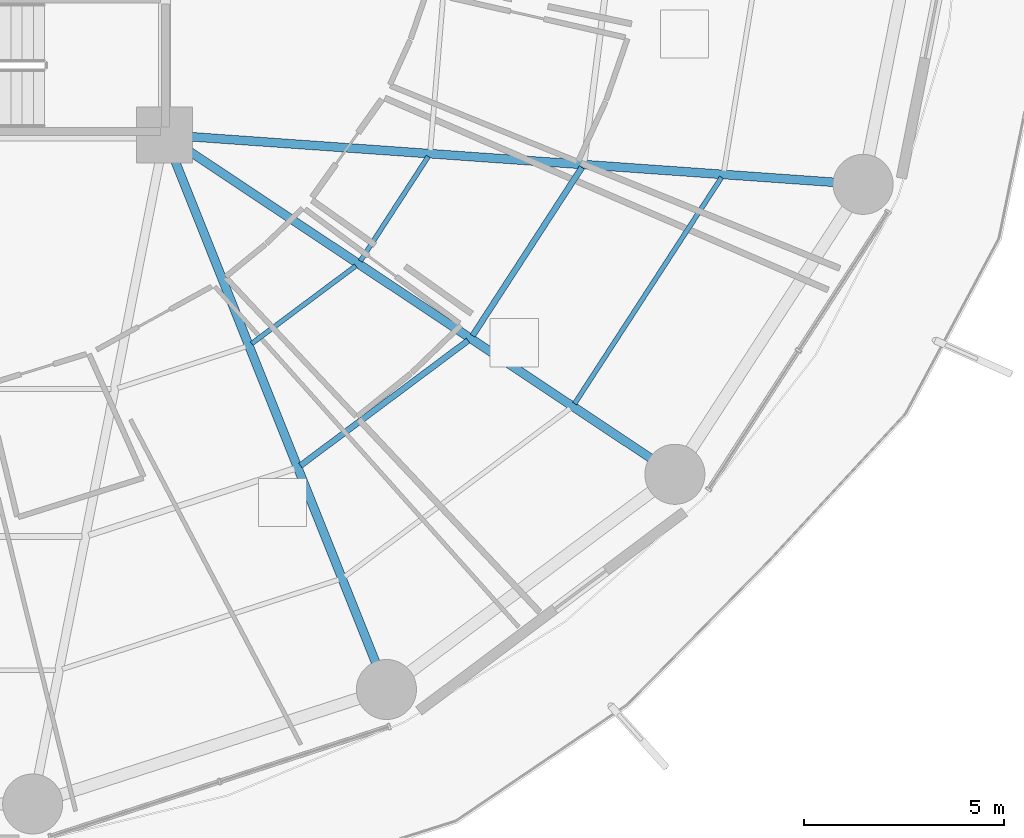
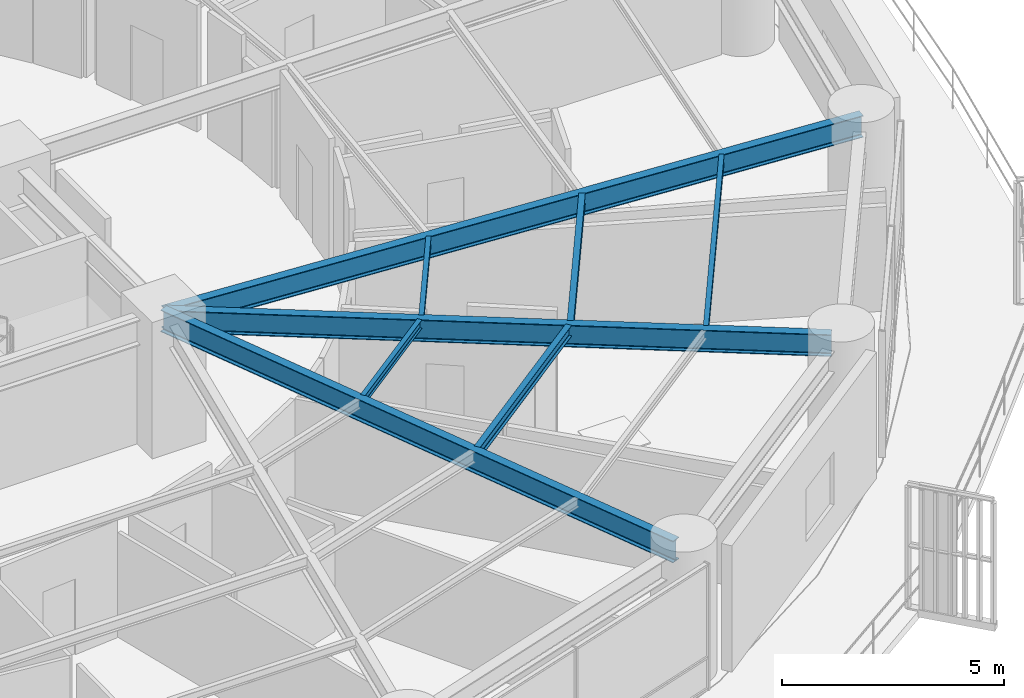
# One storey, part 10 of 35: 8 beams.
"""IFC4 building model written with IfcOpenShell, lengths in metres."""

from ifc_helpers import new_model, si_unit, direction, frame, origin, origin_2d, place, context, subcontext, project, spatial, i_section, extrude, material, material_profile, profile_set, type_object, element, save


model = new_model("IFC4")

# Units and contexts
model_context = context("Model", 3, precision=1e-05, world=origin(), true_north=direction((0.0, 1.0)))
body_context = subcontext(model_context, "Body", "Model", "MODEL_VIEW")
ifc_project = project(units=[si_unit("LENGTHUNIT", "METRE"), si_unit("AREAUNIT", "SQUARE_METRE"), si_unit("VOLUMEUNIT", "CUBIC_METRE"), si_unit("PLANEANGLEUNIT", "RADIAN"), si_unit("MASSUNIT", "GRAM", prefix="KILO")], contexts=[model_context])

# Site, building, storey
site_placement = place(None, origin())
site = spatial("IfcSite", under=ifc_project, at=site_placement, CompositionType="ELEMENT")
building_placement = place(site_placement, origin())
building = spatial("IfcBuilding", under=site, at=building_placement, Name="Kelanora Arch Commons", CompositionType="ELEMENT")
storey_placement = place(building_placement, frame((0.0, 0.0, 22.5)))
storey = spatial("IfcBuildingStorey", under=building, at=storey_placement, Name="L05", CompositionType="ELEMENT", Elevation=22.5)

# Beams
ifc_material = material(Name="Steel S355", Category="steel")
ifc_material_profile_1 = material_profile(ifc_material, i_section(OverallWidth=0.14990234375, OverallDepth=0.300048828125, WebThickness=0.007080078125, FlangeThickness=0.0107421875, FilletRadius=0.014892578125, at=origin_2d()), Name="IPE300")
ifc_profile_set_1 = profile_set([ifc_material_profile_1], Name="Steel S355")
beam_type_1 = type_object("IfcBeamType", Name="BM-JST-01", PredefinedType="JOIST", material=ifc_profile_set_1)
beam_1_placement = place(storey_placement, frame((85.39208984375, 42.738525390625, 3.340087890625), z_axis=(0.801478251559, 0.598023922831, 0.0), x_axis=(-0.598023922831, 0.801478251559, 0.0)))
element("IfcBeam", 1, at=beam_1_placement, inside=storey, type_object=beam_type_1, Name="Secondary Chord Joist BJB-30 L05", PredefinedType="JOIST", context=body_context, shape_type="SweptSolid", body=[
    extrude(i_section(OverallWidth=0.14990234375, OverallDepth=0.300048828125, WebThickness=0.007080078125, FlangeThickness=0.0107421875, FilletRadius=0.014892578125, at=origin_2d()), origin(), (0.0, 0.0, 1.0), 5.223388671875),
])
beam_2_placement = place(storey_placement, frame((89.693115234375, 45.984375, 3.340087890625), z_axis=(0.544551588245, 0.838727350061, 0.0), x_axis=(-0.838727350061, 0.544551588245, 0.0)))
element("IfcBeam", 2, at=beam_2_placement, inside=storey, type_object=beam_type_1, Name="Secondary Chord Joist BJB-32 L05", PredefinedType="JOIST", context=body_context, shape_type="SweptSolid", body=[
    extrude(i_section(OverallWidth=0.14990234375, OverallDepth=0.300048828125, WebThickness=0.007080078125, FlangeThickness=0.0107421875, FilletRadius=0.014892578125, at=origin_2d()), origin(), (0.0, 0.0, 1.0), 5.010986328125),
])
ifc_material_profile_2 = material_profile(ifc_material, i_section(OverallWidth=0.1201171875, OverallDepth=0.239990234375, WebThickness=0.006103515625, FlangeThickness=0.009765625, FilletRadius=0.014892578125, at=origin_2d()), Name="IPE240")
ifc_profile_set_2 = profile_set([ifc_material_profile_2], Name="Steel S355")
beam_type_2 = type_object("IfcBeamType", Name="BM-JST-02", PredefinedType="JOIST", material=ifc_profile_set_2)
beam_3_placement = place(storey_placement, frame((84.17333984375, 45.786376953125, 3.3701171875), z_axis=(0.801513822608, 0.59797624716, 0.0), x_axis=(-0.59797624716, 0.801513822608, 0.0)))
element("IfcBeam", 3, at=beam_3_placement, inside=storey, type_object=beam_type_2, Name="Secondary Chord Joist BJA-30 L05", PredefinedType="JOIST", context=body_context, shape_type="SweptSolid", body=[
    extrude(i_section(OverallWidth=0.1201171875, OverallDepth=0.239990234375, WebThickness=0.006103515625, FlangeThickness=0.009765625, FilletRadius=0.014892578125, at=origin_2d()), origin(), (0.0, 0.0, 1.0), 3.245849609375),
])
beam_4_placement = place(storey_placement, frame((86.88916015625, 47.849609375, 3.3701171875), z_axis=(0.544591105858, 0.838701691557, 0.0), x_axis=(-0.838701691557, 0.544591105858, 0.0)))
element("IfcBeam", 4, at=beam_4_placement, inside=storey, type_object=beam_type_2, Name="Secondary Chord Joist BJA-32 L05", PredefinedType="JOIST", context=body_context, shape_type="SweptSolid", body=[
    extrude(i_section(OverallWidth=0.1201171875, OverallDepth=0.239990234375, WebThickness=0.006103515625, FlangeThickness=0.009765625, FilletRadius=0.014892578125, at=origin_2d()), origin(), (0.0, 0.0, 1.0), 3.111328125),
])
beam_5_placement = place(storey_placement, frame((92.241943359375, 44.288818359375, 3.3701171875), z_axis=(0.544550165372, 0.838728273873, 0.0), x_axis=(-0.838728273873, 0.544550165372, 0.0)))
element("IfcBeam", 5, at=beam_5_placement, inside=storey, type_object=beam_type_2, Name="Secondary Chord Joist BJC-32 L05", PredefinedType="JOIST", context=body_context, shape_type="SweptSolid", body=[
    extrude(i_section(OverallWidth=0.1201171875, OverallDepth=0.239990234375, WebThickness=0.006103515625, FlangeThickness=0.009765625, FilletRadius=0.014892578125, at=origin_2d()), origin(), (0.0, 0.0, 1.0), 6.738037109375),
])
ifc_material_profile_3 = material_profile(ifc_material, i_section(OverallWidth=0.219970703125, OverallDepth=0.60009765625, WebThickness=0.011962890625, FlangeThickness=0.01904296875, FilletRadius=0.02392578125, at=origin_2d()), Name="IPE600")
ifc_profile_set_3 = profile_set([ifc_material_profile_3], Name="Steel S355")
beam_type_3 = type_object("IfcBeamType", Name="BM-RAD-Z1", PredefinedType="BEAM", material=ifc_profile_set_3)
beam_6_placement = place(storey_placement, frame((82.0, 51.0, 3.18994140625), z_axis=(0.371296182896, -0.928514482691, 0.0), x_axis=(0.928514482691, 0.371296182896, 0.0)))
element("IfcBeam", 6, at=beam_6_placement, inside=storey, type_object=beam_type_3, Name="Radial Floor Girder BR-30 L05", PredefinedType="BEAM", context=body_context, shape_type="SweptSolid", body=[
    extrude(i_section(OverallWidth=0.219970703125, OverallDepth=0.60009765625, WebThickness=0.011962890625, FlangeThickness=0.01904296875, FilletRadius=0.02392578125, at=origin_2d()), origin(), (0.0, 0.0, 1.0), 14.700439453125),
])
beam_7_placement = place(storey_placement, frame((82.0, 51.0, 3.18994140625), z_axis=(0.832592623638, -0.553885839379, 0.0), x_axis=(0.553885839379, 0.832592623638, 0.0)))
element("IfcBeam", 7, at=beam_7_placement, inside=storey, type_object=beam_type_3, Name="Radial Floor Girder BR-32 L05", PredefinedType="BEAM", context=body_context, shape_type="SweptSolid", body=[
    extrude(i_section(OverallWidth=0.219970703125, OverallDepth=0.60009765625, WebThickness=0.011962890625, FlangeThickness=0.01904296875, FilletRadius=0.02392578125, at=origin_2d()), origin(), (0.0, 0.0, 1.0), 15.0869140625),
])
beam_8_placement = place(storey_placement, frame((82.0, 51.0, 3.18994140625), z_axis=(0.997500683472, -0.070656821848, 0.0), x_axis=(0.070656821848, 0.997500683472, 0.0)))
element("IfcBeam", 8, at=beam_8_placement, inside=storey, type_object=beam_type_3, Name="Radial Floor Girder BR-34 L05", PredefinedType="BEAM", context=body_context, shape_type="SweptSolid", body=[
    extrude(i_section(OverallWidth=0.219970703125, OverallDepth=0.60009765625, WebThickness=0.011962890625, FlangeThickness=0.01904296875, FilletRadius=0.02392578125, at=origin_2d()), origin(), (0.0, 0.0, 1.0), 17.49072265625),
])

save(model, "model.ifc")
